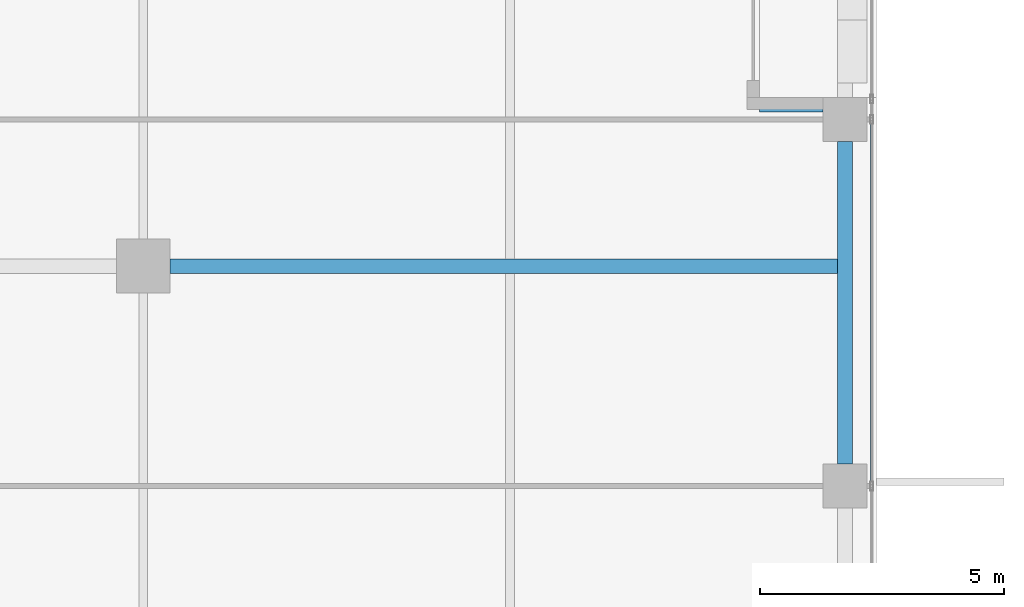
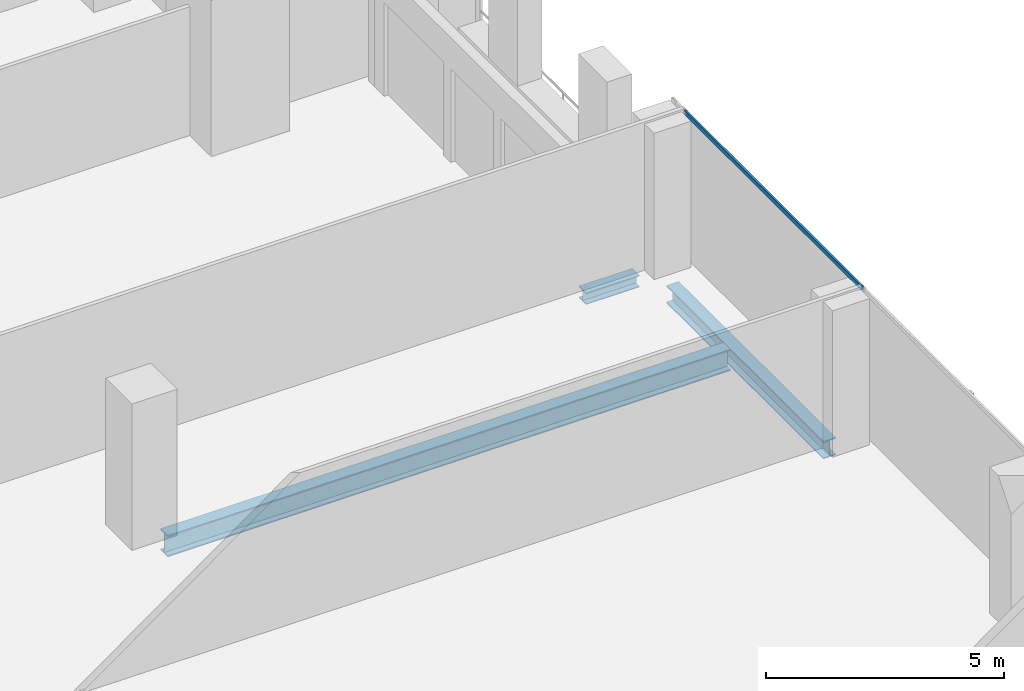
# One storey, part 12 of 34: 3 beams, 1 member, 1 element without a shape of its own.
"""IFC4 building model written with IfcOpenShell, lengths in metres."""

from ifc_helpers import new_model, si_unit, direction, frame, origin, origin_2d, place, context, subcontext, project, spatial, hollow_rectangle, i_section, extrude, source, transform, mapped, material, material_profile, profile_set, type_object, element, aggregate, save


model = new_model("IFC4")

# Units and contexts
model_context = context("Model", 3, precision=1e-05, world=origin(), true_north=direction((0.0, 1.0)))
body_context = subcontext(model_context, "Body", "Model", "MODEL_VIEW")
ifc_project = project(units=[si_unit("LENGTHUNIT", "METRE"), si_unit("AREAUNIT", "SQUARE_METRE"), si_unit("VOLUMEUNIT", "CUBIC_METRE"), si_unit("PLANEANGLEUNIT", "RADIAN"), si_unit("MASSUNIT", "GRAM", prefix="KILO")], contexts=[model_context])

# Site, building, storey
site_placement = place(None, origin())
site = spatial("IfcSite", under=ifc_project, at=site_placement, CompositionType="ELEMENT")
building_placement = place(site_placement, origin())
building = spatial("IfcBuilding", under=site, at=building_placement, Name="Khomas Fold Tower", CompositionType="ELEMENT")
storey_placement = place(building_placement, frame((0.0, 0.0, 254.199951171875)))
storey = spatial("IfcBuildingStorey", under=building, at=storey_placement, Name="L57", CompositionType="ELEMENT", Elevation=254.199951171875)

# Beams
ifc_material_1 = material(Name="Steel S355", Category="steel")
ifc_material_profile_1 = material_profile(ifc_material_1, i_section(OverallWidth=0.300048828125, OverallDepth=0.449951171875, WebThickness=0.013916015625, FlangeThickness=0.02587890625, at=origin_2d()), Name="HE 450 B")
ifc_profile_set_1 = profile_set([ifc_material_profile_1], Name="Steel S355")
beam_type_1 = type_object("IfcBeamType", Name="HE 450 B spandrel SB4", PredefinedType="SPANDREL", material=ifc_profile_set_1)
shared_shape_1 = source(origin(), body_context, "Body", "SweptSolid", [
    extrude(i_section(OverallWidth=0.300048828125, OverallDepth=0.449951171875, WebThickness=0.013916015625, FlangeThickness=0.02587890625, at=origin_2d()), origin(), (0.0, 0.0, 1.0), 6.60009765625),
])
beam_1_placement = place(storey_placement, frame((48.85009765625, 27.449951171875, -0.474853515625), z_axis=(0.0, 1.0, 0.0), x_axis=(-1.0, 0.0, 0.0)))
element("IfcBeam", 1, at=beam_1_placement, inside=storey, type_object=beam_type_1, Name="SB4", PredefinedType="SPANDREL", context=body_context, shape_type="MappedRepresentation", body=[
    mapped(shared_shape_1, transform((0.0, 0.0, 0.0))),
])
ifc_material_2 = material(Name="Steel S355", Category="steel")
ifc_material_profile_2 = material_profile(ifc_material_2, i_section(OverallWidth=0.300048828125, OverallDepth=0.550048828125, WebThickness=0.014892578125, FlangeThickness=0.029052734375, at=origin_2d()), Name="HE 550 B")
ifc_profile_set_2 = profile_set([ifc_material_profile_2], Name="Steel S355")
beam_type_2 = type_object("IfcBeamType", Name="HE 550 B beam GB4", PredefinedType="BEAM", material=ifc_profile_set_2)
shared_shape_2 = source(origin(), body_context, "Body", "SweptSolid", [
    extrude(i_section(OverallWidth=0.300048828125, OverallDepth=0.550048828125, WebThickness=0.014892578125, FlangeThickness=0.029052734375, at=origin_2d()), origin(), (0.0, 0.0, 1.0), 13.64990234375),
])
beam_2_placement = place(storey_placement, frame((35.050048828125, 31.5, -0.52490234375), z_axis=(1.0, 0.0, 0.0), x_axis=(0.0, 1.0, 0.0)))
element("IfcBeam", 2, at=beam_2_placement, inside=storey, type_object=beam_type_2, Name="GB4", PredefinedType="BEAM", context=body_context, shape_type="MappedRepresentation", body=[
    mapped(shared_shape_2, transform((0.0, 0.0, 0.0))),
])
ifc_material_3 = material(Name="Steel S355", Category="steel")
ifc_material_profile_3 = material_profile(ifc_material_3, i_section(OverallWidth=0.300048828125, OverallDepth=0.300048828125, WebThickness=0.010986328125, FlangeThickness=0.01904296875, at=origin_2d()), Name="HE 300 B")
ifc_profile_set_3 = profile_set([ifc_material_profile_3], Name="Steel S355")
beam_type_3 = type_object("IfcBeamType", Name="HE 300 B beam BB1", PredefinedType="BEAM", material=ifc_profile_set_3)
shared_shape_3 = source(origin(), body_context, "Body", "SweptSolid", [
    extrude(i_section(OverallWidth=0.300048828125, OverallDepth=0.300048828125, WebThickness=0.010986328125, FlangeThickness=0.01904296875, at=origin_2d()), origin(), (0.0, 0.0, 1.0), 1.2998046875),
])
beam_3_placement = place(storey_placement, frame((47.10009765625, 34.800048828125, -0.39990234375), z_axis=(1.0, 0.0, 0.0), x_axis=(0.0, 1.0, 0.0)))
element("IfcBeam", 3, at=beam_3_placement, inside=storey, type_object=beam_type_3, Name="BB1", PredefinedType="BEAM", context=body_context, shape_type="MappedRepresentation", body=[
    mapped(shared_shape_3, transform((0.0, 0.0, 0.0))),
])

# Curtain wall, member
ifc_material_4 = material(Name="Aluminium framed double glazing", Category="aluminium")
curtain_wall_type = type_object("IfcCurtainWallType", Name="SK-Unitised clear-glass wall, office floors CW2", PredefinedType="NOTDEFINED", material=ifc_material_4)
curtain_wall_placement = place(storey_placement, origin())
curtain_wall = element("IfcCurtainWall", 4, at=curtain_wall_placement, inside=storey, type_object=curtain_wall_type, Name="CW2 run L57 03-0", PredefinedType="NOTDEFINED")
ifc_material_5 = material(Name="Aluminium", Category="aluminium")
ifc_material_profile_4 = material_profile(ifc_material_5, hollow_rectangle(XDim=0.050048828125, YDim=0.110107421875, WallThickness=0.00390625, at=origin_2d()), Name="SK-Unitised clear-glass wall, office floors transom CW2-T")
ifc_profile_set_4 = profile_set([ifc_material_profile_4], Name="Aluminium")
member_type = type_object("IfcMemberType", Name="SK-Unitised clear-glass wall, office floors transom CW2-T", PredefinedType="USERDEFINED", material=ifc_profile_set_4)
shared_shape_4 = source(origin(), body_context, "Body", "SweptSolid", [
    extrude(hollow_rectangle(XDim=0.050048828125, YDim=0.110107421875, WallThickness=0.00390625, at=origin_2d()), origin(), (0.0, 0.0, 1.0), 7.43994140625),
])
member_placement = place(storey_placement, frame((49.39990234375, 27.030029296875, 3.695068359375), z_axis=(0.0, 1.0, 0.0), x_axis=(-1.0, 0.0, 0.0)))
member = element("IfcMember", 5, at=member_placement, type_object=member_type, Name="CW2 transom 4", ObjectType="TRANSOM", PredefinedType="USERDEFINED", context=body_context, shape_type="MappedRepresentation", body=[
    mapped(shared_shape_4, transform((0.0, 0.0, 0.0))),
])
aggregate(curtain_wall, [member])

save(model, "model.ifc")
